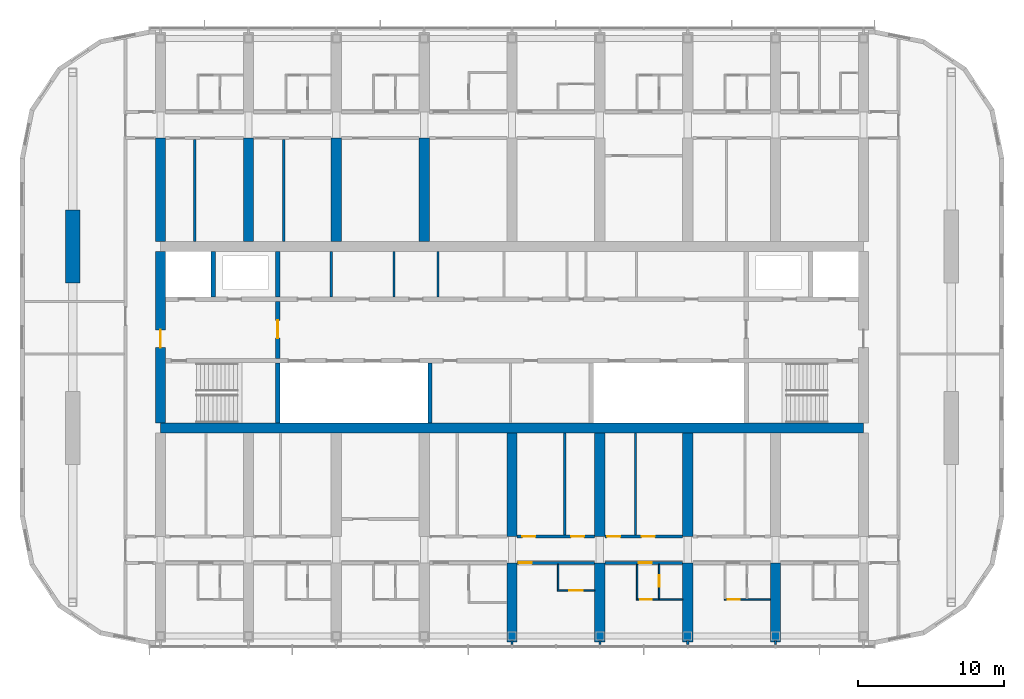
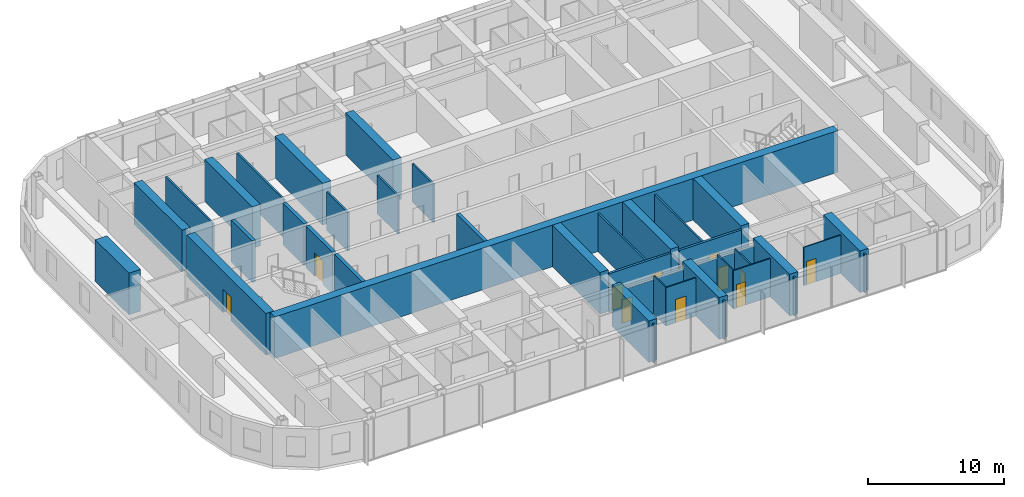
# One storey, part 12 of 23: 40 walls, 12 doors, 12 openings.
"""IFC4 building model written with IfcOpenShell, lengths in metres."""

from ifc_helpers import new_model, si_unit, direction, frame, frame_2d, origin, place, context, subcontext, project, spatial, polyline, rectangle, outline, extrude, material, layer, layer_set, type_object, element, fill, save


model = new_model("IFC4")

# Units and contexts
model_context = context("Model", 3, precision=1e-05, world=origin(), true_north=direction((0.0, 1.0)))
body_context = subcontext(model_context, "Body", "Model", "MODEL_VIEW")
ifc_project = project(units=[si_unit("LENGTHUNIT", "METRE"), si_unit("AREAUNIT", "SQUARE_METRE"), si_unit("VOLUMEUNIT", "CUBIC_METRE"), si_unit("PLANEANGLEUNIT", "RADIAN"), si_unit("MASSUNIT", "GRAM", prefix="KILO")], contexts=[model_context])

# Site, building, storey
site_placement = place(None, origin())
site = spatial("IfcSite", under=ifc_project, at=site_placement, CompositionType="ELEMENT")
building_placement = place(site_placement, origin())
building = spatial("IfcBuilding", under=site, at=building_placement, Name="Orbita Commons", CompositionType="ELEMENT")
storey_placement = place(building_placement, frame((0.0, 0.0, 254.050048828125)))
storey = spatial("IfcBuildingStorey", under=building, at=storey_placement, Name="L63", CompositionType="ELEMENT", Elevation=254.050048828125)

# Wall
ifc_material_1 = material(Name="Concrete C50/60", Category="concrete")
ifc_layer_1 = layer(ifc_material_1, 0.300048828125)
ifc_layer_set_1 = layer_set([ifc_layer_1], Name="Concrete C50/60")
wall_type_1 = type_object("IfcWallType", Name="Core inner wall 300 C50/60", PredefinedType="SHEAR", material=ifc_layer_set_1)
wall_1_placement = place(storey_placement, frame((26.0, 26.14990234375, 0.0), z_axis=(0.0, 0.0, 1.0), x_axis=(0.0, 1.0, 0.0)))
element("IfcWall", 1, at=wall_1_placement, inside=storey, type_object=wall_type_1, Name="Stair S1 wall L63", PredefinedType="SHEAR", context=body_context, shape_type="SweptSolid", body=[
    extrude(rectangle(XDim=4.10009765625, YDim=0.300048828125, at=frame_2d((2.050048828125, 0.0))), origin(), (0.0, 0.0, 1.0), 3.75),
])

# Wall, opening, door
wall_2_placement = place(storey_placement, frame((26.0, 30.550048828125, 0.0), z_axis=(0.0, 0.0, 1.0), x_axis=(0.0, 1.0, 0.0)))
wall_2 = element("IfcWall", 2, at=wall_2_placement, inside=storey, type_object=wall_type_1, Name="Firefighting lobby wall west L63", PredefinedType="SHEAR", context=body_context, shape_type="SweptSolid", body=[
    extrude(rectangle(XDim=3.89990234375, YDim=0.300048828125, at=frame_2d((1.949951171875, 0.0))), origin(), (0.0, 0.0, 1.0), 3.75),
])
opening_1_placement = place(wall_2_placement, frame((1.39990234375, 0.0, 0.0)))
opening_1 = element("IfcOpeningElement", 3, at=opening_1_placement, cuts=wall_2, Name="Opening D04", PredefinedType="OPENING", context=body_context, shape_type="SweptSolid", body=[
    extrude(rectangle(XDim=1.199951171875, YDim=2.10009765625, at=frame_2d((0.60009765625, 1.050048828125))), frame((0.0, 0.159912109375, 0.0), z_axis=(0.0, -1.0, 0.0), x_axis=(1.0, 0.0, 0.0)), (0.0, 0.0, 1.0), 0.320068359375),
])
ifc_material_2 = material(Name="Steel-faced fire door leaf", Category="steel")
door_type_1 = type_object("IfcDoorType", Name="Service door 20 min 1200x2100", OperationType="SINGLE_SWING_LEFT", PredefinedType="DOOR", material=ifc_material_2)
door_1_placement = place(opening_1_placement, origin())
door_1 = element("IfcDoor", 4, at=door_1_placement, inside=storey, type_object=door_type_1, Name="Lift lobby door west", OperationType="SINGLE_SWING_LEFT", OverallHeight=2.10009765625, OverallWidth=1.199951171875, PredefinedType="DOOR", context=body_context, shape_type="SweptSolid", body=[
    extrude(rectangle(XDim=1.199951171875, YDim=2.10009765625, at=frame_2d((0.60009765625, 1.050048828125))), frame((0.0, 0.02490234375, 0.0), z_axis=(0.0, -1.0, 0.0), x_axis=(1.0, 0.0, 0.0)), (0.0, 0.0, 1.0), 0.050048828125),
])
fill(opening_1, door_1)

# Walls
for number, where, z_axis, x_axis, name in (
    (5, (21.60009765625, 34.75, 0.0), (0.0, 0.0, 1.0), (0.0, 1.0, 0.0), "Firefighting lift FL1 shaft wall L63"),
    (6, (26.0, 34.75, 0.0), (0.0, 0.0, 1.0), (0.0, 1.0, 0.0), "Riser wall west L63"),
):
    element("IfcWall", number, at=place(storey_placement, frame(where, z_axis=z_axis, x_axis=x_axis)), inside=storey, type_object=wall_type_1, Name=name, PredefinedType="SHEAR", context=body_context, shape_type="SweptSolid", body=[
        extrude(rectangle(XDim=3.10009765625, YDim=0.300048828125, at=frame_2d((1.550048828125, 0.0))), origin(), (0.0, 0.0, 1.0), 3.75),
    ])
wall_3_placement = place(storey_placement, frame((36.39990234375, 26.14990234375, 0.0), z_axis=(0.0, 0.0, 1.0), x_axis=(0.0, 1.0, 0.0)))
element("IfcWall", 7, at=wall_3_placement, inside=storey, type_object=wall_type_1, Name="Hoistway division wall L63", PredefinedType="SHEAR", context=body_context, shape_type="SweptSolid", body=[
    extrude(rectangle(XDim=4.10009765625, YDim=0.300048828125, at=frame_2d((2.050048828125, 0.0))), origin(), (0.0, 0.0, 1.0), 3.75),
])
ifc_material_3 = material(Name="Concrete blockwork", Category="masonry")
ifc_layer_2 = layer(ifc_material_3, 0.14990234375)
ifc_layer_set_2 = layer_set([ifc_layer_2], Name="Concrete blockwork")
wall_type_2 = type_object("IfcWallType", Name="Core partition 150 blockwork", PredefinedType="SOLIDWALL", material=ifc_layer_set_2)
for number, where, z_axis, x_axis, name in (
    (8, (29.65087890625, 34.75, 0.0), (0.0, 0.0, 1.0), (0.0, 1.0, 0.0), "Core partition 150 blockwork L63"),
    (9, (33.9462890625, 34.75, 0.0), (0.0, 0.0, 1.0), (0.0, 1.0, 0.0), "Core partition 150 blockwork L63"),
    (10, (36.9462890625, 34.75, 0.0), (0.0, 0.0, 1.0), (0.0, 1.0, 0.0), "Core partition 150 blockwork L63"),
):
    element("IfcWall", number, at=place(storey_placement, frame(where, z_axis=z_axis, x_axis=x_axis)), inside=storey, type_object=wall_type_2, Name=name, PredefinedType="SOLIDWALL", context=body_context, shape_type="SweptSolid", body=[
        extrude(rectangle(XDim=3.10009765625, YDim=0.14990234375, at=frame_2d((1.550048828125, 0.0))), origin(), (0.0, 0.0, 1.0), 3.449951171875),
    ])
ifc_material_4 = material(Name="Concrete C50/60", Category="concrete")
ifc_layer_3 = layer(ifc_material_4, 0.699951171875)
ifc_layer_set_3 = layer_set([ifc_layer_3], Name="Concrete C50/60")
wall_type_3 = type_object("IfcWallType", Name="Core wall 700 C50/60", PredefinedType="SHEAR", material=ifc_layer_set_3)
wall_4_placement = place(storey_placement, frame((18.0, 25.800048828125, 0.0), z_axis=(0.0, 0.0, 1.0), x_axis=(1.0, 0.0, 0.0)))
element("IfcWall", 11, at=wall_4_placement, inside=storey, type_object=wall_type_3, Name="Core spine wall south L63", PredefinedType="SHEAR", context=body_context, shape_type="SweptSolid", body=[
    extrude(rectangle(XDim=48.0, YDim=0.699951171875, at=frame_2d((24.0, 0.0))), origin(), (0.0, 0.0, 1.0), 3.75),
])

# Wall, opening, door
wall_5_placement = place(storey_placement, frame((18.0, 26.14990234375, 0.0), z_axis=(0.0, 0.0, 1.0), x_axis=(0.0, 1.0, 0.0)))
wall_5 = element("IfcWall", 12, at=wall_5_placement, inside=storey, type_object=wall_type_3, Name="Core end wall west L63", PredefinedType="SHEAR", context=body_context, shape_type="SweptSolid", body=[
    extrude(rectangle(XDim=11.7001953125, YDim=0.699951171875, at=frame_2d((5.85009765625, 0.0))), origin(), (0.0, 0.0, 1.0), 3.75),
])
opening_2_placement = place(wall_5_placement, frame((5.14990234375, 0.0, 0.0)))
opening_2 = element("IfcOpeningElement", 13, at=opening_2_placement, cuts=wall_5, Name="Opening D01", PredefinedType="OPENING", context=body_context, shape_type="SweptSolid", body=[
    extrude(rectangle(XDim=1.199951171875, YDim=2.10009765625, at=frame_2d((0.60009765625, 1.050048828125))), frame((0.0, 0.35986328125, 0.0), z_axis=(0.0, -1.0, 0.0), x_axis=(1.0, 0.0, 0.0)), (0.0, 0.0, 1.0), 0.719970703125),
])
ifc_material_5 = material(Name="Steel-faced fire door leaf", Category="steel")
door_type_2 = type_object("IfcDoorType", Name="Fire door 90 min 1200x2100", OperationType="SINGLE_SWING_LEFT", PredefinedType="DOOR", material=ifc_material_5)
door_2_placement = place(opening_2_placement, origin())
door_2 = element("IfcDoor", 14, at=door_2_placement, inside=storey, type_object=door_type_2, Name="Firefighting lobby west door", OperationType="SINGLE_SWING_LEFT", OverallHeight=2.10009765625, OverallWidth=1.199951171875, PredefinedType="DOOR", context=body_context, shape_type="SweptSolid", body=[
    extrude(rectangle(XDim=1.199951171875, YDim=2.10009765625, at=frame_2d((0.60009765625, 1.050048828125))), frame((0.0, 0.02490234375, 0.0), z_axis=(0.0, -1.0, 0.0), x_axis=(1.0, 0.0, 0.0)), (0.0, 0.0, 1.0), 0.050048828125),
])
fill(opening_2, door_2)

ifc_material_6 = material(Name="Concrete blockwork", Category="masonry")
ifc_layer_4 = layer(ifc_material_6, 0.199951171875)
ifc_layer_set_4 = layer_set([ifc_layer_4], Name="Concrete blockwork")
wall_type_4 = type_object("IfcWallType", Name="Corridor wall 200 blockwork", PredefinedType="SOLIDWALL", material=ifc_layer_set_4)
wall_6_placement = place(storey_placement, frame((42.35009765625, 16.60009765625, 0.0), z_axis=(0.0, 0.0, 1.0), x_axis=(1.0, 0.0, 0.0)))
wall_6 = element("IfcWall", 15, at=wall_6_placement, inside=storey, type_object=wall_type_4, Name="Corridor wall 200 blockwork L63", PredefinedType="SOLIDWALL", context=body_context, shape_type="SweptSolid", body=[
    extrude(outline(polyline([(0.0, 0.0), (5.2998046875, 0.0), (5.300048828125, 3.050048828125), (0.0, 3.050048828125), (0.0, 0.0)])), frame((0.0, 0.10009765625, 0.0), z_axis=(0.0, -1.0, 0.0), x_axis=(1.0, 0.0, 0.0)), (0.0, 0.0, 1.0), 0.199951171875),
])
opening_3_placement = place(wall_6_placement, frame((0.10009765625, 0.0, 0.0)))
opening_3 = element("IfcOpeningElement", 16, at=opening_3_placement, cuts=wall_6, Name="Opening D11", PredefinedType="OPENING", context=body_context, shape_type="SweptSolid", body=[
    extrude(rectangle(XDim=0.89990234375, YDim=2.10009765625, at=frame_2d((0.449951171875, 1.050048828125))), frame((0.0, 0.10986328125, 0.0), z_axis=(0.0, -1.0, 0.0), x_axis=(1.0, 0.0, 0.0)), (0.0, 0.0, 1.0), 0.219970703125),
])
ifc_material_7 = material(Name="Steel-faced fire door leaf", Category="steel")
door_type_3 = type_object("IfcDoorType", Name="Corridor door 20 min 900x2100", OperationType="SINGLE_SWING_LEFT", PredefinedType="DOOR", material=ifc_material_7)
door_3_placement = place(opening_3_placement, origin())
door_3 = element("IfcDoor", 17, at=door_3_placement, inside=storey, type_object=door_type_3, Name="Studio apartment with kitchenette L63-S08 door", OperationType="SINGLE_SWING_LEFT", OverallHeight=2.10009765625, OverallWidth=0.89990234375, PredefinedType="DOOR", context=body_context, shape_type="SweptSolid", body=[
    extrude(rectangle(XDim=0.89990234375, YDim=2.10009765625, at=frame_2d((0.449951171875, 1.050048828125))), frame((0.0, 0.02490234375, 0.0), z_axis=(0.0, -1.0, 0.0), x_axis=(1.0, 0.0, 0.0)), (0.0, 0.0, 1.0), 0.050048828125),
])
fill(opening_3, door_3)

wall_7_placement = place(storey_placement, frame((48.35009765625, 16.60009765625, 0.0), z_axis=(0.0, 0.0, 1.0), x_axis=(1.0, 0.0, 0.0)))
wall_7 = element("IfcWall", 18, at=wall_7_placement, inside=storey, type_object=wall_type_4, Name="Corridor wall 200 blockwork L63", PredefinedType="SOLIDWALL", context=body_context, shape_type="SweptSolid", body=[
    extrude(outline(polyline([(0.0, 0.0), (5.2998046875, 0.0), (5.300048828125, 3.050048828125), (0.0, 3.050048828125), (0.0, 0.0)])), frame((0.0, 0.10009765625, 0.0), z_axis=(0.0, -1.0, 0.0), x_axis=(1.0, 0.0, 0.0)), (0.0, 0.0, 1.0), 0.199951171875),
])
opening_4_placement = place(wall_7_placement, frame((2.300048828125, 0.0, 0.0)))
opening_4 = element("IfcOpeningElement", 19, at=opening_4_placement, cuts=wall_7, Name="Opening D11", PredefinedType="OPENING", context=body_context, shape_type="SweptSolid", body=[
    extrude(rectangle(XDim=0.89990234375, YDim=2.10009765625, at=frame_2d((0.449951171875, 1.050048828125))), frame((0.0, 0.10986328125, 0.0), z_axis=(0.0, -1.0, 0.0), x_axis=(1.0, 0.0, 0.0)), (0.0, 0.0, 1.0), 0.219970703125),
])
door_4_placement = place(opening_4_placement, origin())
door_4 = element("IfcDoor", 20, at=door_4_placement, inside=storey, type_object=door_type_3, Name="Studio flat L63-S10 entrance door", OperationType="SINGLE_SWING_LEFT", OverallHeight=2.10009765625, OverallWidth=0.89990234375, PredefinedType="DOOR", context=body_context, shape_type="SweptSolid", body=[
    extrude(rectangle(XDim=0.89990234375, YDim=2.10009765625, at=frame_2d((0.449951171875, 1.050048828125))), frame((0.0, 0.02490234375, 0.0), z_axis=(0.0, -1.0, 0.0), x_axis=(1.0, 0.0, 0.0)), (0.0, 0.0, 1.0), 0.050048828125),
])
fill(opening_4, door_4)

# Wall, openings, doors
ifc_material_8 = material(Name="Hollow concrete block 200", Category="concrete")
ifc_layer_5 = layer(ifc_material_8, 0.199951171875)
ifc_layer_set_5 = layer_set([ifc_layer_5], Name="Hollow concrete block 200")
wall_type_5 = type_object("IfcWallType", Name="Corridor wall 200 hollow concrete block", PredefinedType="SOLIDWALL", material=ifc_layer_set_5)
wall_8_placement = place(storey_placement, frame((42.35009765625, 18.39990234375, 0.0), z_axis=(0.0, 0.0, 1.0), x_axis=(1.0, 0.0, 0.0)))
wall_8 = element("IfcWall", 21, at=wall_8_placement, inside=storey, type_object=wall_type_5, Name="Corridor wall 200 hollow concrete block L63", PredefinedType="SOLIDWALL", context=body_context, shape_type="SweptSolid", body=[
    extrude(rectangle(XDim=5.2998046875, YDim=0.199951171875, at=frame_2d((2.64990234375, 0.0))), origin(), (0.0, 0.0, 1.0), 3.449951171875),
])
opening_5_placement = place(wall_8_placement, frame((0.35009765625, 0.0, 0.0)))
opening_5 = element("IfcOpeningElement", 22, at=opening_5_placement, cuts=wall_8, Name="Opening D11", PredefinedType="OPENING", context=body_context, shape_type="SweptSolid", body=[
    extrude(rectangle(XDim=0.89990234375, YDim=2.10009765625, at=frame_2d((0.449951171875, 1.050048828125))), frame((0.0, 0.10986328125, 0.0), z_axis=(0.0, -1.0, 0.0), x_axis=(1.0, 0.0, 0.0)), (0.0, 0.0, 1.0), 0.219970703125),
])
opening_6_placement = place(wall_8_placement, frame((3.679931640625, 0.0, 0.0)))
opening_6 = element("IfcOpeningElement", 23, at=opening_6_placement, cuts=wall_8, Name="Opening D11", PredefinedType="OPENING", context=body_context, shape_type="SweptSolid", body=[
    extrude(rectangle(XDim=0.89990234375, YDim=2.10009765625, at=frame_2d((0.449951171875, 1.050048828125))), frame((0.0, 0.10986328125, 0.0), z_axis=(0.0, -1.0, 0.0), x_axis=(1.0, 0.0, 0.0)), (0.0, 0.0, 1.0), 0.219970703125),
])
door_5_placement = place(opening_5_placement, origin())
door_5 = element("IfcDoor", 24, at=door_5_placement, inside=storey, type_object=door_type_3, Name="IT and print room L63-BDS42 door", OperationType="SINGLE_SWING_LEFT", OverallHeight=2.10009765625, OverallWidth=0.89990234375, PredefinedType="DOOR", context=body_context, shape_type="SweptSolid", body=[
    extrude(rectangle(XDim=0.89990234375, YDim=2.10009765625, at=frame_2d((0.449951171875, 1.050048828125))), frame((0.0, 0.02490234375, 0.0), z_axis=(0.0, -1.0, 0.0), x_axis=(1.0, 0.0, 0.0)), (0.0, 0.0, 1.0), 0.050048828125),
])
fill(opening_5, door_5)
door_6_placement = place(opening_6_placement, origin())
door_6 = element("IfcDoor", 25, at=door_6_placement, inside=storey, type_object=door_type_3, Name="Sprinkler valve room L63-BDS42n door", OperationType="SINGLE_SWING_LEFT", OverallHeight=2.10009765625, OverallWidth=0.89990234375, PredefinedType="DOOR", context=body_context, shape_type="SweptSolid", body=[
    extrude(rectangle(XDim=0.89990234375, YDim=2.10009765625, at=frame_2d((0.449951171875, 1.050048828125))), frame((0.0, 0.02490234375, 0.0), z_axis=(0.0, -1.0, 0.0), x_axis=(1.0, 0.0, 0.0)), (0.0, 0.0, 1.0), 0.050048828125),
])
fill(opening_6, door_6)

wall_9_placement = place(storey_placement, frame((48.35009765625, 18.39990234375, 0.0), z_axis=(0.0, 0.0, 1.0), x_axis=(1.0, 0.0, 0.0)))
wall_9 = element("IfcWall", 26, at=wall_9_placement, inside=storey, type_object=wall_type_5, Name="Corridor wall 200 hollow concrete block L63", PredefinedType="SOLIDWALL", context=body_context, shape_type="SweptSolid", body=[
    extrude(rectangle(XDim=5.2998046875, YDim=0.199951171875, at=frame_2d((2.64990234375, 0.0))), origin(), (0.0, 0.0, 1.0), 3.449951171875),
])
opening_7_placement = place(wall_9_placement, frame((0.14990234375, 0.0, 0.0)))
opening_7 = element("IfcOpeningElement", 27, at=opening_7_placement, cuts=wall_9, Name="Opening D11", PredefinedType="OPENING", context=body_context, shape_type="SweptSolid", body=[
    extrude(rectangle(XDim=0.89990234375, YDim=2.10009765625, at=frame_2d((0.449951171875, 1.050048828125))), frame((0.0, 0.10986328125, 0.0), z_axis=(0.0, -1.0, 0.0), x_axis=(1.0, 0.0, 0.0)), (0.0, 0.0, 1.0), 0.219970703125),
])
opening_8_placement = place(wall_9_placement, frame((2.510009765625, 0.0, 0.0)))
opening_8 = element("IfcOpeningElement", 28, at=opening_8_placement, cuts=wall_9, Name="Opening D11", PredefinedType="OPENING", context=body_context, shape_type="SweptSolid", body=[
    extrude(rectangle(XDim=0.89990234375, YDim=2.10009765625, at=frame_2d((0.449951171875, 1.050048828125))), frame((0.0, 0.10986328125, 0.0), z_axis=(0.0, -1.0, 0.0), x_axis=(1.0, 0.0, 0.0)), (0.0, 0.0, 1.0), 0.219970703125),
])
door_7_placement = place(opening_7_placement, origin())
door_7 = element("IfcDoor", 29, at=door_7_placement, inside=storey, type_object=door_type_3, Name="Water heater cupboard L63-BDS48n door", OperationType="SINGLE_SWING_LEFT", OverallHeight=2.10009765625, OverallWidth=0.89990234375, PredefinedType="DOOR", context=body_context, shape_type="SweptSolid", body=[
    extrude(rectangle(XDim=0.89990234375, YDim=2.10009765625, at=frame_2d((0.449951171875, 1.050048828125))), frame((0.0, 0.02490234375, 0.0), z_axis=(0.0, -1.0, 0.0), x_axis=(1.0, 0.0, 0.0)), (0.0, 0.0, 1.0), 0.050048828125),
])
fill(opening_7, door_7)
door_8_placement = place(opening_8_placement, origin())
door_8 = element("IfcDoor", 30, at=door_8_placement, inside=storey, type_object=door_type_3, Name="Ventilation plant room south L63-BDS48 door", OperationType="SINGLE_SWING_LEFT", OverallHeight=2.10009765625, OverallWidth=0.89990234375, PredefinedType="DOOR", context=body_context, shape_type="SweptSolid", body=[
    extrude(rectangle(XDim=0.89990234375, YDim=2.10009765625, at=frame_2d((0.449951171875, 1.050048828125))), frame((0.0, 0.02490234375, 0.0), z_axis=(0.0, -1.0, 0.0), x_axis=(1.0, 0.0, 0.0)), (0.0, 0.0, 1.0), 0.050048828125),
])
fill(opening_8, door_8)

# Walls
ifc_material_9 = material(Name="Concrete C50/60", Category="concrete")
ifc_layer_6 = layer(ifc_material_9, 0.699951171875)
ifc_layer_set_6 = layer_set([ifc_layer_6], Name="Concrete C50/60")
wall_type_6 = type_object("IfcWallType", Name="Cross wall 700 C50/60", PredefinedType="SHEAR", material=ifc_layer_set_6)
for number, where, z_axis, x_axis, name in (
    (31, (18.0, 38.550048828125, 0.0), (0.0, 0.0, 1.0), (0.0, 1.0, 0.0), "Cross wall 4 north inner L63"),
    (32, (24.0, 38.550048828125, 0.0), (0.0, 0.0, 1.0), (0.0, 1.0, 0.0), "Cross wall 5 north inner L63"),
    (33, (30.0, 38.550048828125, 0.0), (0.0, 0.0, 1.0), (0.0, 1.0, 0.0), "Cross wall 6 north inner L63"),
    (34, (36.0, 38.550048828125, 0.0), (0.0, 0.0, 1.0), (0.0, 1.0, 0.0), "Cross wall 7 north inner L63"),
):
    element("IfcWall", number, at=place(storey_placement, frame(where, z_axis=z_axis, x_axis=x_axis)), inside=storey, type_object=wall_type_6, Name=name, PredefinedType="SHEAR", context=body_context, shape_type="SweptSolid", body=[
        extrude(rectangle(XDim=7.050048828125, YDim=0.699951171875, at=frame_2d((3.52490234375, 0.0))), origin(), (0.0, 0.0, 1.0), 3.75),
    ])
wall_10_placement = place(storey_placement, frame((42.0, 11.199951171875, 0.0), z_axis=(0.0, 0.0, 1.0), x_axis=(0.0, 1.0, 0.0)))
element("IfcWall", 35, at=wall_10_placement, inside=storey, type_object=wall_type_6, Name="Cross wall 8 south outer L63", PredefinedType="SHEAR", context=body_context, shape_type="SweptSolid", body=[
    extrude(rectangle(XDim=5.400146484375, YDim=0.699951171875, at=frame_2d((2.7001953125, 0.0))), origin(), (0.0, 0.0, 1.0), 3.75),
])
wall_11_placement = place(storey_placement, frame((42.0, 18.39990234375, 0.0), z_axis=(0.0, 0.0, 1.0), x_axis=(0.0, 1.0, 0.0)))
element("IfcWall", 36, at=wall_11_placement, inside=storey, type_object=wall_type_6, Name="Cross wall 8 south inner L63", PredefinedType="SHEAR", context=body_context, shape_type="SweptSolid", body=[
    extrude(rectangle(XDim=7.050048828125, YDim=0.699951171875, at=frame_2d((3.52490234375, 0.0))), origin(), (0.0, 0.0, 1.0), 3.75),
])
wall_12_placement = place(storey_placement, frame((48.0, 11.199951171875, 0.0), z_axis=(0.0, 0.0, 1.0), x_axis=(0.0, 1.0, 0.0)))
element("IfcWall", 37, at=wall_12_placement, inside=storey, type_object=wall_type_6, Name="Cross wall 9 south outer L63", PredefinedType="SHEAR", context=body_context, shape_type="SweptSolid", body=[
    extrude(rectangle(XDim=5.400146484375, YDim=0.699951171875, at=frame_2d((2.7001953125, 0.0))), origin(), (0.0, 0.0, 1.0), 3.75),
])
wall_13_placement = place(storey_placement, frame((48.0, 18.39990234375, 0.0), z_axis=(0.0, 0.0, 1.0), x_axis=(0.0, 1.0, 0.0)))
element("IfcWall", 38, at=wall_13_placement, inside=storey, type_object=wall_type_6, Name="Cross wall 9 south inner L63", PredefinedType="SHEAR", context=body_context, shape_type="SweptSolid", body=[
    extrude(rectangle(XDim=7.050048828125, YDim=0.699951171875, at=frame_2d((3.52490234375, 0.0))), origin(), (0.0, 0.0, 1.0), 3.75),
])
wall_14_placement = place(storey_placement, frame((54.0, 11.199951171875, 0.0), z_axis=(0.0, 0.0, 1.0), x_axis=(0.0, 1.0, 0.0)))
element("IfcWall", 39, at=wall_14_placement, inside=storey, type_object=wall_type_6, Name="Cross wall 10 south outer L63", PredefinedType="SHEAR", context=body_context, shape_type="SweptSolid", body=[
    extrude(rectangle(XDim=5.400146484375, YDim=0.699951171875, at=frame_2d((2.7001953125, 0.0))), origin(), (0.0, 0.0, 1.0), 3.75),
])
wall_15_placement = place(storey_placement, frame((54.0, 18.39990234375, 0.0), z_axis=(0.0, 0.0, 1.0), x_axis=(0.0, 1.0, 0.0)))
element("IfcWall", 40, at=wall_15_placement, inside=storey, type_object=wall_type_6, Name="Cross wall 10 south inner L63", PredefinedType="SHEAR", context=body_context, shape_type="SweptSolid", body=[
    extrude(rectangle(XDim=7.050048828125, YDim=0.699951171875, at=frame_2d((3.52490234375, 0.0))), origin(), (0.0, 0.0, 1.0), 3.75),
])
wall_16_placement = place(storey_placement, frame((60.0, 11.199951171875, 0.0), z_axis=(0.0, 0.0, 1.0), x_axis=(0.0, 1.0, 0.0)))
element("IfcWall", 41, at=wall_16_placement, inside=storey, type_object=wall_type_6, Name="Cross wall 11 south outer L63", PredefinedType="SHEAR", context=body_context, shape_type="SweptSolid", body=[
    extrude(rectangle(XDim=5.400146484375, YDim=0.699951171875, at=frame_2d((2.7001953125, 0.0))), origin(), (0.0, 0.0, 1.0), 3.75),
])

# Wall, opening, door
ifc_material_10 = material(Name="Moisture-resistant plasterboard on steel studs", Category="steel")
ifc_layer_7 = layer(ifc_material_10, 0.10009765625)
ifc_layer_set_7 = layer_set([ifc_layer_7], Name="Moisture-resistant plasterboard on steel studs")
wall_type_7 = type_object("IfcWallType", Name="En-suite partition 100", PredefinedType="PARTITIONING", material=ifc_layer_set_7)
wall_17_placement = place(storey_placement, frame((47.64990234375, 14.699951171875, 0.0), z_axis=(0.0, 0.0, 1.0), x_axis=(-1.0, 0.0, 0.0)))
wall_17 = element("IfcWall", 42, at=wall_17_placement, inside=storey, type_object=wall_type_7, Name="En-suite partition 100 L63", PredefinedType="PARTITIONING", context=body_context, shape_type="SweptSolid", body=[
    extrude(rectangle(XDim=2.5498046875, YDim=0.10009765625, at=frame_2d((1.27490234375, 0.0))), origin(), (0.0, 0.0, 1.0), 3.449951171875),
])
opening_9_placement = place(wall_17_placement, frame((0.824951171875, 0.0, 0.0)))
opening_9 = element("IfcOpeningElement", 43, at=opening_9_placement, cuts=wall_17, Name="Opening D09", PredefinedType="OPENING", context=body_context, shape_type="SweptSolid", body=[
    extrude(rectangle(XDim=0.89990234375, YDim=2.10009765625, at=frame_2d((0.449951171875, 1.050048828125))), frame((0.0, 0.06005859375, 0.0), z_axis=(0.0, -1.0, 0.0), x_axis=(1.0, 0.0, 0.0)), (0.0, 0.0, 1.0), 0.1201171875),
])
ifc_material_11 = material(Name="Laminated timber door leaf", Category="wood")
door_type_4 = type_object("IfcDoorType", Name="En-suite door 900x2100", OperationType="SINGLE_SWING_RIGHT", PredefinedType="DOOR", material=ifc_material_11)
door_9_placement = place(opening_9_placement, origin())
door_9 = element("IfcDoor", 44, at=door_9_placement, inside=storey, type_object=door_type_4, Name="En-suite L63-S08 door", OperationType="SINGLE_SWING_RIGHT", OverallHeight=2.10009765625, OverallWidth=0.89990234375, PredefinedType="DOOR", context=body_context, shape_type="SweptSolid", body=[
    extrude(rectangle(XDim=0.89990234375, YDim=2.10009765625, at=frame_2d((0.449951171875, 1.050048828125))), frame((0.0, 0.02490234375, 0.0), z_axis=(0.0, -1.0, 0.0), x_axis=(1.0, 0.0, 0.0)), (0.0, 0.0, 1.0), 0.050048828125),
])
fill(opening_9, door_9)

# Wall
wall_18_placement = place(storey_placement, frame((45.14990234375, 14.75, 0.0), z_axis=(0.0, 0.0, 1.0), x_axis=(0.0, 1.0, 0.0)))
element("IfcWall", 45, at=wall_18_placement, inside=storey, type_object=wall_type_7, Name="En-suite partition 100 L63", PredefinedType="PARTITIONING", context=body_context, shape_type="SweptSolid", body=[
    extrude(outline(polyline([(0.0, 0.0), (1.75, 0.0), (1.75, 3.050048828125), (1.701904296875, 3.050048828125), (1.699951171875, 3.449951171875), (0.0, 3.449951171875), (0.0, 0.0)])), frame((0.0, 0.050048828125, 0.0), z_axis=(0.0, -1.0, 0.0), x_axis=(1.0, 0.0, 0.0)), (0.0, 0.0, 1.0), 0.10009765625),
])

# Wall, opening, door
wall_19_placement = place(storey_placement, frame((53.64990234375, 14.10009765625, 0.0), z_axis=(0.0, 0.0, 1.0), x_axis=(-1.0, 0.0, 0.0)))
wall_19 = element("IfcWall", 46, at=wall_19_placement, inside=storey, type_object=wall_type_7, Name="En-suite partition 100 L63", PredefinedType="PARTITIONING", context=body_context, shape_type="SweptSolid", body=[
    extrude(rectangle(XDim=3.14990234375, YDim=0.10009765625, at=frame_2d((1.574951171875, 0.0))), origin(), (0.0, 0.0, 1.0), 3.449951171875),
])
opening_10_placement = place(wall_19_placement, frame((2.10009765625, 0.0, 0.0)))
opening_10 = element("IfcOpeningElement", 47, at=opening_10_placement, cuts=wall_19, Name="Opening D16", PredefinedType="OPENING", context=body_context, shape_type="SweptSolid", body=[
    extrude(rectangle(XDim=0.800048828125, YDim=2.10009765625, at=frame_2d((0.39990234375, 1.050048828125))), frame((0.0, 0.06005859375, 0.0), z_axis=(0.0, -1.0, 0.0), x_axis=(1.0, 0.0, 0.0)), (0.0, 0.0, 1.0), 0.1201171875),
])
ifc_material_12 = material(Name="Laminated timber door leaf", Category="wood")
door_type_5 = type_object("IfcDoorType", Name="En-suite door 800x2100", OperationType="SINGLE_SWING_RIGHT", PredefinedType="DOOR", material=ifc_material_12)
door_10_placement = place(opening_10_placement, origin())
door_10 = element("IfcDoor", 48, at=door_10_placement, inside=storey, type_object=door_type_5, Name="Studio flat L63-S10 door", OperationType="SINGLE_SWING_RIGHT", OverallHeight=2.10009765625, OverallWidth=0.800048828125, PredefinedType="DOOR", context=body_context, shape_type="SweptSolid", body=[
    extrude(rectangle(XDim=0.800048828125, YDim=2.10009765625, at=frame_2d((0.39990234375, 1.050048828125))), frame((0.0, 0.02490234375, 0.0), z_axis=(0.0, -1.0, 0.0), x_axis=(1.0, 0.0, 0.0)), (0.0, 0.0, 1.0), 0.050048828125),
])
fill(opening_10, door_10)

# Wall
wall_20_placement = place(storey_placement, frame((50.550048828125, 14.14990234375, 0.0), z_axis=(0.0, 0.0, 1.0), x_axis=(0.0, 1.0, 0.0)))
element("IfcWall", 49, at=wall_20_placement, inside=storey, type_object=wall_type_7, Name="En-suite partition 100 L63", PredefinedType="PARTITIONING", context=body_context, shape_type="SweptSolid", body=[
    extrude(outline(polyline([(0.0, 0.0), (2.35009765625, 0.0), (2.35009765625, 3.050048828125), (2.302001953125, 3.050048828125), (2.300048828125, 3.449951171875), (0.0, 3.449951171875), (0.0, 0.0)])), frame((0.0, 0.050048828125, 0.0), z_axis=(0.0, -1.0, 0.0), x_axis=(1.0, 0.0, 0.0)), (0.0, 0.0, 1.0), 0.10009765625),
])

# Wall, opening, door
wall_21_placement = place(storey_placement, frame((52.050048828125, 14.14990234375, 0.0), z_axis=(0.0, 0.0, 1.0), x_axis=(0.0, 1.0, 0.0)))
wall_21 = element("IfcWall", 50, at=wall_21_placement, inside=storey, type_object=wall_type_7, Name="En-suite partition 100 L63", PredefinedType="PARTITIONING", context=body_context, shape_type="SweptSolid", body=[
    extrude(outline(polyline([(0.0, 0.0), (2.35009765625, 0.0), (2.35009765625, 3.050048828125), (2.302001953125, 3.050048828125), (2.300048828125, 3.449951171875), (0.0, 3.449951171875), (0.0, 0.0)])), frame((0.0, 0.050048828125, 0.0), z_axis=(0.0, -1.0, 0.0), x_axis=(1.0, 0.0, 0.0)), (0.0, 0.0, 1.0), 0.10009765625),
])
opening_11_placement = place(wall_21_placement, frame((0.800048828125, 0.0, 0.0)))
opening_11 = element("IfcOpeningElement", 51, at=opening_11_placement, cuts=wall_21, Name="Opening D16", PredefinedType="OPENING", context=body_context, shape_type="SweptSolid", body=[
    extrude(rectangle(XDim=0.800048828125, YDim=2.10009765625, at=frame_2d((0.39990234375, 1.050048828125))), frame((0.0, 0.06005859375, 0.0), z_axis=(0.0, -1.0, 0.0), x_axis=(1.0, 0.0, 0.0)), (0.0, 0.0, 1.0), 0.1201171875),
])
door_11_placement = place(opening_11_placement, origin())
door_11 = element("IfcDoor", 52, at=door_11_placement, inside=storey, type_object=door_type_5, Name="Studio flat shower room L63-S10 door", OperationType="SINGLE_SWING_RIGHT", OverallHeight=2.10009765625, OverallWidth=0.800048828125, PredefinedType="DOOR", context=body_context, shape_type="SweptSolid", body=[
    extrude(rectangle(XDim=0.800048828125, YDim=2.10009765625, at=frame_2d((0.39990234375, 1.050048828125))), frame((0.0, 0.02490234375, 0.0), z_axis=(0.0, -1.0, 0.0), x_axis=(1.0, 0.0, 0.0)), (0.0, 0.0, 1.0), 0.050048828125),
])
fill(opening_11, door_11)

wall_22_placement = place(storey_placement, frame((59.64990234375, 14.10009765625, 0.0), z_axis=(0.0, 0.0, 1.0), x_axis=(-1.0, 0.0, 0.0)))
wall_22 = element("IfcWall", 53, at=wall_22_placement, inside=storey, type_object=wall_type_7, Name="En-suite partition 100 L63", PredefinedType="PARTITIONING", context=body_context, shape_type="SweptSolid", body=[
    extrude(rectangle(XDim=3.14990234375, YDim=0.10009765625, at=frame_2d((1.574951171875, 0.0))), origin(), (0.0, 0.0, 1.0), 3.449951171875),
])
opening_12_placement = place(wall_22_placement, frame((2.10009765625, 0.0, 0.0)))
opening_12 = element("IfcOpeningElement", 54, at=opening_12_placement, cuts=wall_22, Name="Opening D16", PredefinedType="OPENING", context=body_context, shape_type="SweptSolid", body=[
    extrude(rectangle(XDim=0.800048828125, YDim=2.10009765625, at=frame_2d((0.39990234375, 1.050048828125))), frame((0.0, 0.06005859375, 0.0), z_axis=(0.0, -1.0, 0.0), x_axis=(1.0, 0.0, 0.0)), (0.0, 0.0, 1.0), 0.1201171875),
])
door_12_placement = place(opening_12_placement, origin())
door_12 = element("IfcDoor", 55, at=door_12_placement, inside=storey, type_object=door_type_5, Name="Studio flat L63-S12 door", OperationType="SINGLE_SWING_RIGHT", OverallHeight=2.10009765625, OverallWidth=0.800048828125, PredefinedType="DOOR", context=body_context, shape_type="SweptSolid", body=[
    extrude(rectangle(XDim=0.800048828125, YDim=2.10009765625, at=frame_2d((0.39990234375, 1.050048828125))), frame((0.0, 0.02490234375, 0.0), z_axis=(0.0, -1.0, 0.0), x_axis=(1.0, 0.0, 0.0)), (0.0, 0.0, 1.0), 0.050048828125),
])
fill(opening_12, door_12)

# Walls
ifc_material_13 = material(Name="Concrete C50/60", Category="concrete")
ifc_layer_8 = layer(ifc_material_13, 1.0)
ifc_layer_set_8 = layer_set([ifc_layer_8], Name="Concrete C50/60")
wall_type_8 = type_object("IfcWallType", Name="End pier 1000x5000 C50/60", PredefinedType="SHEAR", material=ifc_layer_set_8)
wall_23_placement = place(storey_placement, frame((12.0, 35.699951171875, 0.0), z_axis=(0.0, 0.0, 1.0), x_axis=(0.0, 1.0, 0.0)))
element("IfcWall", 56, at=wall_23_placement, inside=storey, type_object=wall_type_8, Name="End pier 3/D L63", PredefinedType="SHEAR", context=body_context, shape_type="SweptSolid", body=[
    extrude(rectangle(XDim=5.0, YDim=1.0, at=frame_2d((2.5, 0.0))), origin(), (0.0, 0.0, 1.0), 3.75),
])
ifc_material_14 = material(Name="Gypsum plasterboard on steel studs", Category="steel")
ifc_layer_9 = layer(ifc_material_14, 0.14990234375)
ifc_layer_set_9 = layer_set([ifc_layer_9], Name="Gypsum plasterboard on steel studs")
wall_type_9 = type_object("IfcWallType", Name="Partition 150 plasterboard", PredefinedType="PARTITIONING", material=ifc_layer_set_9)
for number, where, z_axis, x_axis, name in (
    (57, (45.60498046875, 18.5, 0.0), (0.0, 0.0, 1.0), (0.0, 1.0, 0.0), "Partition 150 plasterboard L63"),
    (58, (50.43505859375, 18.5, 0.0), (0.0, 0.0, 1.0), (0.0, 1.0, 0.0), "Partition 150 plasterboard L63"),
    (59, (20.340087890625, 38.550048828125, 0.0), (0.0, 0.0, 1.0), (0.0, 1.0, 0.0), "Partition 150 plasterboard L63"),
    (60, (26.4150390625, 38.550048828125, 0.0), (0.0, 0.0, 1.0), (0.0, 1.0, 0.0), "Partition 150 plasterboard L63"),
):
    element("IfcWall", number, at=place(storey_placement, frame(where, z_axis=z_axis, x_axis=x_axis)), inside=storey, type_object=wall_type_9, Name=name, PredefinedType="PARTITIONING", context=body_context, shape_type="SweptSolid", body=[
        extrude(rectangle(XDim=6.949951171875, YDim=0.14990234375, at=frame_2d((3.47509765625, 0.0))), origin(), (0.0, 0.0, 1.0), 3.449951171875),
    ])
for number, where, z_axis, x_axis, name in (
    (61, (42.0, 11.300048828125, 0.0), (0.0, 0.0, 1.0), (0.0, -1.0, 0.0), "Partition 150 plasterboard L63"),
    (62, (48.0, 11.300048828125, 0.0), (0.0, 0.0, 1.0), (0.0, -1.0, 0.0), "Partition 150 plasterboard L63"),
    (63, (54.0, 11.300048828125, 0.0), (0.0, 0.0, 1.0), (0.0, -1.0, 0.0), "Partition 150 plasterboard L63"),
    (64, (60.0, 11.300048828125, 0.0), (0.0, 0.0, 1.0), (0.0, -1.0, 0.0), "Partition 150 plasterboard L63"),
):
    element("IfcWall", number, at=place(storey_placement, frame(where, z_axis=z_axis, x_axis=x_axis)), inside=storey, type_object=wall_type_9, Name=name, PredefinedType="PARTITIONING", context=body_context, shape_type="SweptSolid", body=[
        extrude(rectangle(XDim=0.2900390625, YDim=0.14990234375, at=frame_2d((0.14501953125, 0.0))), origin(), (0.0, 0.0, 1.0), 3.449951171875),
    ])

save(model, "model.ifc")
